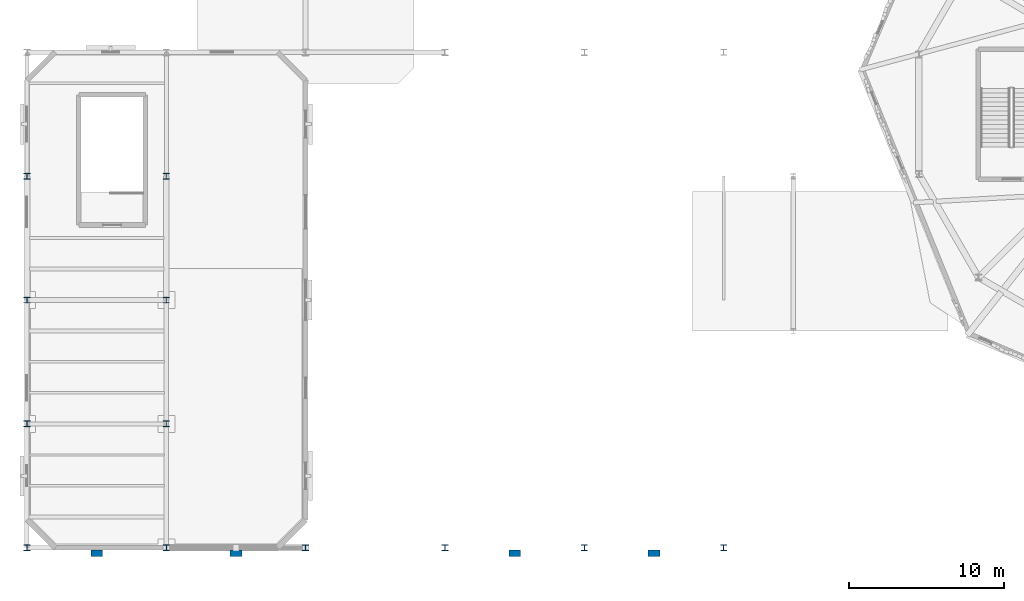
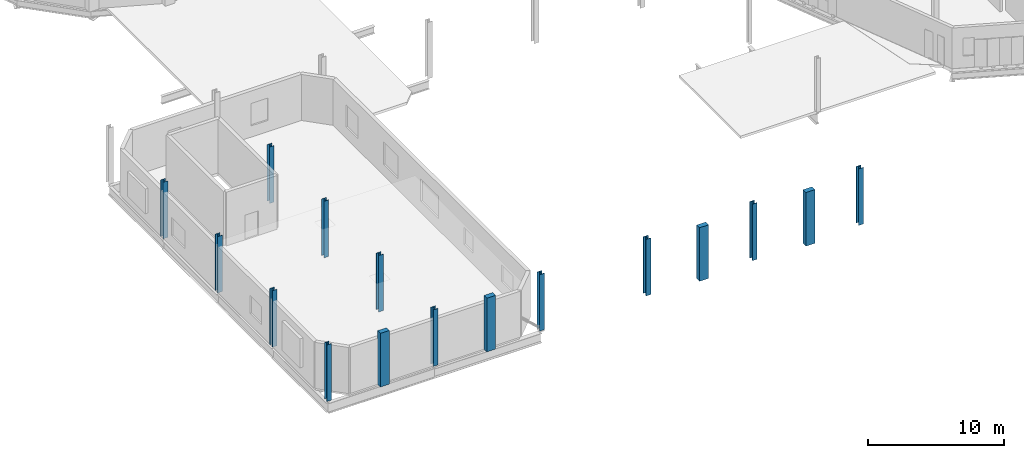
# One storey, part 1 of 122: 16 columns.
"""IFC4 building model written with IfcOpenShell, lengths in metres."""

from ifc_helpers import new_model, si_unit, direction, frame, origin, origin_2d, place, context, subcontext, project, spatial, rectangle, i_section, extrude, material, material_profile, profile_set, type_object, element, save


model = new_model("IFC4")

# Units and contexts
model_context = context("Model", 3, precision=1e-05, world=origin(), true_north=direction((0.0, 1.0)))
body_context = subcontext(model_context, "Body", "Model", "MODEL_VIEW")
ifc_project = project(units=[si_unit("LENGTHUNIT", "METRE"), si_unit("AREAUNIT", "SQUARE_METRE"), si_unit("VOLUMEUNIT", "CUBIC_METRE"), si_unit("PLANEANGLEUNIT", "RADIAN"), si_unit("MASSUNIT", "GRAM", prefix="KILO"), si_unit("THERMODYNAMICTEMPERATUREUNIT", "KELVIN"), si_unit("POWERUNIT", "WATT")], contexts=[model_context])

# Site, building, storey
site_placement = place(None, origin())
site = spatial("IfcSite", under=ifc_project, at=site_placement, CompositionType="ELEMENT")
building_placement = place(site_placement, origin())
building = spatial("IfcBuilding", under=site, at=building_placement, Name="Zelmaris Science Centre", CompositionType="ELEMENT")
storey_placement = place(building_placement, frame((0.0, 0.0, 10.800048828125)))
storey = spatial("IfcBuildingStorey", under=building, at=storey_placement, Name="L02", CompositionType="ELEMENT", Elevation=10.800048828125)

# Columns
ifc_material_1 = material(Name="Steel ASTM A992 Grade 50", Category="steel")
ifc_material_profile_1 = material_profile(ifc_material_1, i_section(OverallWidth=0.406005859375, OverallDepth=0.4169921875, WebThickness=0.02978515625, FlangeThickness=0.04443359375, FilletRadius=0.014892578125, at=origin_2d()), Name="W14X257")
ifc_profile_set_1 = profile_set([ifc_material_profile_1], Name="Steel ASTM A992 Grade 50")
column_type_1 = type_object("IfcColumnType", Name="Column C-02 W14X257", PredefinedType="COLUMN", material=ifc_profile_set_1)
for number, where, z_axis, x_axis, name in (
    (1, (18.0, 8.0, 0.0), (0.0, 0.0, 1.0), (1.0, 0.0, 0.0), "Column V3-P-18-8 L02"),
    (2, (27.0, 8.0, 0.0), (0.0, 0.0, 1.0), (1.0, 0.0, 0.0), "Column V3-P-27-8 L02"),
    (3, (36.0, 8.0, 0.0), (0.0, 0.0, 1.0), (1.0, 0.0, 0.0), "Column V3-P-36-8 L02"),
    (4, (45.0, 8.0, 0.0), (0.0, 0.0, 1.0), (1.0, 0.0, 0.0), "Column V3-P-45-8 L02"),
):
    element("IfcColumn", number, at=place(storey_placement, frame(where, z_axis=z_axis, x_axis=x_axis)), inside=storey, type_object=column_type_1, Name=name, PredefinedType="COLUMN", context=body_context, shape_type="SweptSolid", body=[
        extrude(i_section(OverallWidth=0.406005859375, OverallDepth=0.4169921875, WebThickness=0.02978515625, FlangeThickness=0.04443359375, FilletRadius=0.014892578125, at=origin_2d()), origin(), (0.0, 0.0, 1.0), 5.050048828125),
    ])
ifc_material_profile_2 = material_profile(ifc_material_1, i_section(OverallWidth=0.39892578125, OverallDepth=0.385986328125, WebThickness=0.02099609375, FlangeThickness=0.033203125, FilletRadius=0.014892578125, at=origin_2d()), Name="W14X176")
ifc_profile_set_2 = profile_set([ifc_material_profile_2], Name="Steel ASTM A992 Grade 50")
column_type_2 = type_object("IfcColumnType", Name="Column C-04 W14X176", PredefinedType="COLUMN", material=ifc_profile_set_2)
for number, where, z_axis, x_axis, name in (
    (5, (9.0, 8.0, 0.0), (0.0, 0.0, 1.0), (1.0, 0.0, 0.0), "Column V3-P-9-8 L02"),
    (6, (54.0, 8.0, 0.0), (0.0, 0.0, 1.0), (1.0, 0.0, 0.0), "Column V3-P-54-8 L02"),
):
    element("IfcColumn", number, at=place(storey_placement, frame(where, z_axis=z_axis, x_axis=x_axis)), inside=storey, type_object=column_type_2, Name=name, PredefinedType="COLUMN", context=body_context, shape_type="SweptSolid", body=[
        extrude(i_section(OverallWidth=0.39892578125, OverallDepth=0.385986328125, WebThickness=0.02099609375, FlangeThickness=0.033203125, FilletRadius=0.014892578125, at=origin_2d()), origin(), (0.0, 0.0, 1.0), 5.050048828125),
    ])
ifc_material_profile_3 = material_profile(ifc_material_1, i_section(OverallWidth=0.39404296875, OverallDepth=0.3759765625, WebThickness=0.017333984375, FlangeThickness=0.027587890625, FilletRadius=0.014892578125, at=origin_2d()), Name="W14X145")
ifc_profile_set_3 = profile_set([ifc_material_profile_3], Name="Steel ASTM A992 Grade 50")
column_type_3 = type_object("IfcColumnType", Name="Column C-05 W14X145", PredefinedType="COLUMN", material=ifc_profile_set_3)
for number, where, z_axis, x_axis, name in (
    (7, (9.0, 16.0, 0.0), (0.0, 0.0, 1.0), (1.0, 0.0, 0.0), "Column V3-F-9-16 L02"),
    (8, (9.0, 24.0, 0.0), (0.0, 0.0, 1.0), (1.0, 0.0, 0.0), "Column V3-F-9-24 L02"),
    (9, (9.0, 32.0, 0.0), (0.0, 0.0, 1.0), (1.0, 0.0, 0.0), "Column V3-F-9-32 L02"),
    (10, (18.0, 16.0, 0.0), (0.0, 0.0, 1.0), (1.0, 0.0, 0.0), "Column V3-F-18-16 L02"),
    (11, (18.0, 24.0, 0.0), (0.0, 0.0, 1.0), (1.0, 0.0, 0.0), "Column V3-F-18-24 L02"),
    (12, (18.0, 32.0, 0.0), (0.0, 0.0, 1.0), (1.0, 0.0, 0.0), "Column V3-F-18-32 L02"),
):
    element("IfcColumn", number, at=place(storey_placement, frame(where, z_axis=z_axis, x_axis=x_axis)), inside=storey, type_object=column_type_3, Name=name, PredefinedType="COLUMN", context=body_context, shape_type="SweptSolid", body=[
        extrude(i_section(OverallWidth=0.39404296875, OverallDepth=0.3759765625, WebThickness=0.017333984375, FlangeThickness=0.027587890625, FilletRadius=0.014892578125, at=origin_2d()), origin(), (0.0, 0.0, 1.0), 5.050048828125),
    ])
ifc_material_2 = material(Name="Yucatan limestone ashlar masonry", Category="masonry")
ifc_material_profile_4 = material_profile(ifc_material_2, rectangle(XDim=0.75, YDim=0.419921875, at=origin_2d()), Name="PIL-LIM-750X420")
ifc_profile_set_4 = profile_set([ifc_material_profile_4], Name="Yucatan limestone ashlar masonry")
column_type_4 = type_object("IfcColumnType", Name="Pilaster PL-01 PIL-LIM-750X420", PredefinedType="PILASTER", material=ifc_profile_set_4)
for number, where, z_axis, x_axis, name in (
    (13, (13.5, 7.64990234375, 0.0), (0.0, 0.0, 1.0), (1.0, 0.0, 0.0), "Limestone pilaster PIL-V3S-1 L02"),
    (14, (22.5, 7.64990234375, 0.0), (0.0, 0.0, 1.0), (1.0, 0.0, 0.0), "Limestone pilaster PIL-V3S-2 L02"),
    (15, (40.5, 7.64990234375, 0.0), (0.0, 0.0, 1.0), (1.0, 0.0, 0.0), "Limestone pilaster PIL-V3S-3 L02"),
    (16, (49.5, 7.64990234375, 0.0), (0.0, 0.0, 1.0), (1.0, 0.0, 0.0), "Limestone pilaster PIL-V3S-4 L02"),
):
    element("IfcColumn", number, at=place(storey_placement, frame(where, z_axis=z_axis, x_axis=x_axis)), inside=storey, type_object=column_type_4, Name=name, PredefinedType="PILASTER", context=body_context, shape_type="SweptSolid", body=[
        extrude(rectangle(XDim=0.75, YDim=0.419921875, at=origin_2d()), origin(), (0.0, 0.0, 1.0), 4.800048828125),
    ])

save(model, "model.ifc")
